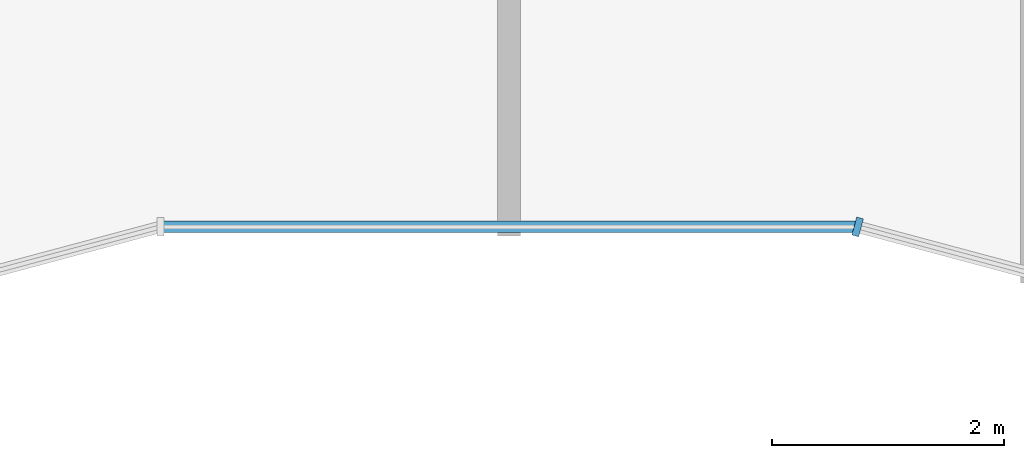
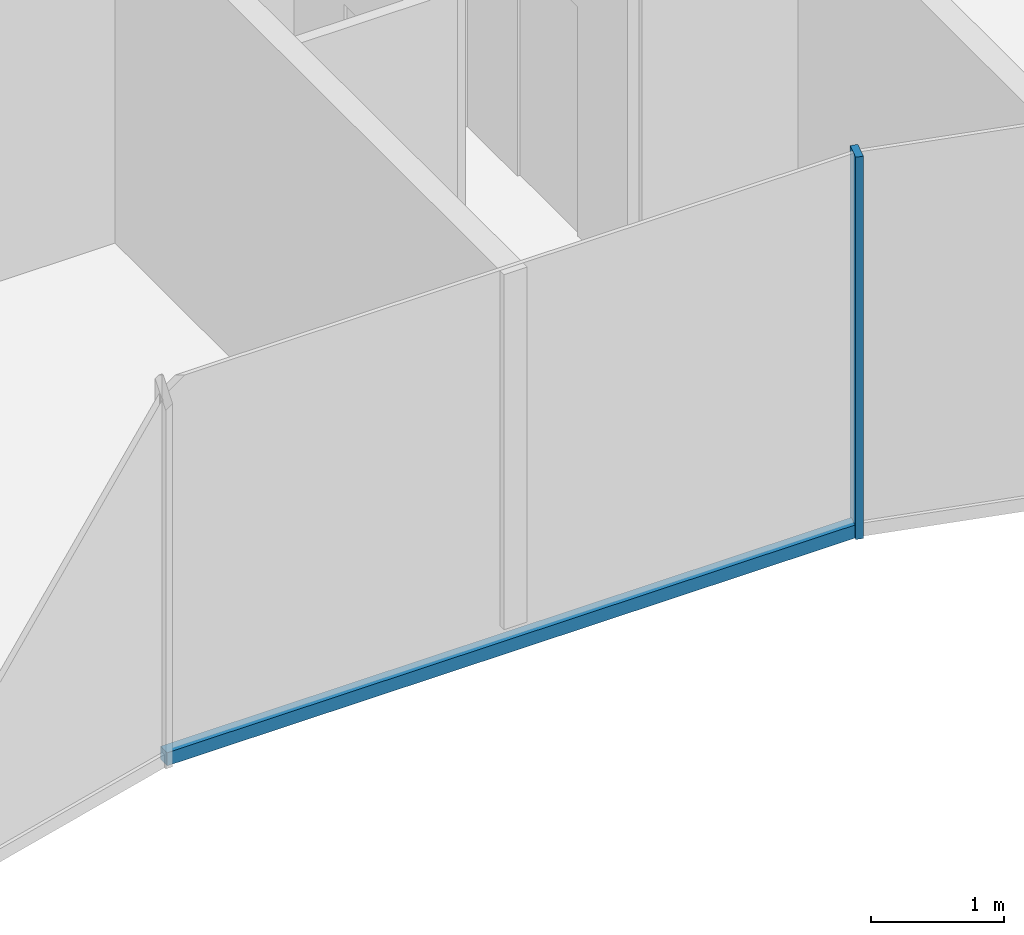
# One storey, part 3 of 17: 2 members, 2 elements without a shape of their own.
"""IFC4 building model written with IfcOpenShell, lengths in metres."""

import ifcopenshell
import ifcopenshell.guid

model = None  # the IFC model being written
_history = None  # IfcOwnerHistory: only IFC2X3 demands one
_inside = {}  # id of a spatial element -> (the spatial element, [elements in it])
_under = {}  # id of a project, library or spatial element -> (it, [spatial elements below it])
_declared = {}  # id of a project -> (the project, [libraries it declares])
_typed = {}  # id of a type object -> (the type object, [elements of that type])
_made_of = {}  # id of a material, layer set ... -> (it, [elements and type objects made of it])


def new_model(schema):
    """Start an empty IFC model of exactly this schema.

    Asked for "IFC4X3", IfcOpenShell would pick the latest addendum, in which some entities
    have other attributes; the version numbers below select the first issue.
    IFC2X3 requires an IfcOwnerHistory on every rooted entity: one is made here for all.
    """
    global model, _history
    if schema == "IFC4X3":
        model = ifcopenshell.file(schema_version=(4, 3, 0, 0))
    else:
        model = ifcopenshell.file(schema=schema)
    _inside.clear()
    _under.clear()
    _declared.clear()
    _typed.clear()
    _made_of.clear()
    _history = None
    if model.schema == "IFC2X3":
        org = make("IfcOrganization", Name="unknown")
        user = make(
            "IfcPersonAndOrganization",
            ThePerson=make("IfcPerson", FamilyName="unknown"),
            TheOrganization=org,
        )
        app = make(
            "IfcApplication",
            ApplicationDeveloper=org,
            Version="unknown",
            ApplicationFullName="unknown",
            ApplicationIdentifier="unknown",
        )
        _history = make(
            "IfcOwnerHistory",
            OwningUser=user,
            OwningApplication=app,
            ChangeAction="ADDED",
            CreationDate=0,
        )
    return model


def make(cls, **values):
    """One entity of the class cls with the attributes given. An attribute that is None is left unset."""
    return model.create_entity(
        cls, **{name: value for name, value in values.items() if value is not None}
    )


def rooted(cls, **values):
    """An entity with a GlobalId (a new one), such as an element, a storey or a relation."""
    return make(cls, GlobalId=ifcopenshell.guid.new(), OwnerHistory=_history, **values)


def si_unit(unit_type, name, prefix=None):
    """IfcSIUnit, for example si_unit("LENGTHUNIT", "METRE", prefix="MILLI")."""
    return make("IfcSIUnit", UnitType=unit_type, Prefix=prefix, Name=name)


def assignment(units):
    """IfcUnitAssignment: the units of a project."""
    return None if units is None else make("IfcUnitAssignment", Units=units)


def point(xyz):
    """IfcCartesianPoint."""
    return None if xyz is None else make("IfcCartesianPoint", Coordinates=xyz)


def direction(xyz):
    """IfcDirection."""
    return None if xyz is None else make("IfcDirection", DirectionRatios=xyz)


def frame(location, z_axis=None, x_axis=None):
    """IfcAxis2Placement3D, a coordinate frame: its origin and axes. An axis left out is left unset."""
    return make(
        "IfcAxis2Placement3D",
        Location=point(location),
        Axis=direction(z_axis),
        RefDirection=direction(x_axis),
    )


def frame_2d(location, x_axis=None):
    """IfcAxis2Placement2D, a coordinate frame in the plane: its origin and x axis."""
    return make(
        "IfcAxis2Placement2D", Location=point(location), RefDirection=direction(x_axis)
    )


def origin():
    """The frame at (0, 0, 0) with its axes left unset."""
    return frame((0.0, 0.0, 0.0))


def origin_2d():
    """The frame at (0, 0) in the plane with its x axis left unset."""
    return frame_2d((0.0, 0.0))


def place(relative_to, where):
    """IfcLocalPlacement: puts the frame where relative to a parent placement (None: the world)."""
    return make(
        "IfcLocalPlacement", PlacementRelTo=relative_to, RelativePlacement=where
    )


def context(
    kind, dimensions, precision=None, world=None, true_north=None, identifier=None
):
    """IfcGeometricRepresentationContext, for example the 3D "Model" context."""
    return make(
        "IfcGeometricRepresentationContext",
        ContextIdentifier=identifier,
        ContextType=kind,
        CoordinateSpaceDimension=dimensions,
        Precision=precision,
        WorldCoordinateSystem=world,
        TrueNorth=true_north,
    )


def subcontext(parent, identifier, kind, view, scale=None):
    """IfcGeometricRepresentationSubContext, for example "Body" below "Model"."""
    return make(
        "IfcGeometricRepresentationSubContext",
        ContextIdentifier=identifier,
        ContextType=kind,
        ParentContext=parent,
        TargetScale=scale,
        TargetView=view,
    )


def project(units=None, contexts=None):
    """IfcProject with its units and contexts."""
    return rooted(
        "IfcProject",
        Name="project",
        RepresentationContexts=contexts,
        UnitsInContext=assignment(units),
    )


def spatial(cls, under=None, at=None, **own):
    """A site, building, storey or space (cls), placed at a placement, below another one or the project."""
    s = rooted(cls, ObjectPlacement=at, **own)
    if under is not None:
        _under.setdefault(under.id(), (under, []))[1].append(s)
    return s


def profile(cls, at=None, kind="AREA", **sizes):
    """A parametric profile (cls). Its sizes go by their IFC names, for example OverallWidth=200.0."""
    return make(cls, ProfileType=kind, Position=at, **sizes)


def rectangle(**sizes):
    """IfcRectangleProfileDef."""
    return profile("IfcRectangleProfileDef", **sizes)


def extrude(swept, where, along, depth):
    """IfcExtrudedAreaSolid: the profile swept, set in the frame where, extruded along a direction by depth."""
    return make(
        "IfcExtrudedAreaSolid",
        SweptArea=swept,
        Position=where,
        ExtrudedDirection=direction(along),
        Depth=depth,
    )


def shape(context_of_items, identifier, shape_type, items):
    """IfcShapeRepresentation: the items that make up one representation, for example the "Body"."""
    return make(
        "IfcShapeRepresentation",
        ContextOfItems=context_of_items,
        RepresentationIdentifier=identifier,
        RepresentationType=shape_type,
        Items=items,
    )


def material(Name=None, Category=None):
    """IfcMaterial."""
    return make("IfcMaterial", Name=Name, Category=Category)


def layer(
    of_material, thickness, ventilated=None, Name=None, Category=None, Priority=None
):
    """IfcMaterialLayer: one layer of a wall or slab, of a material (None: an air gap)."""
    return make(
        "IfcMaterialLayer",
        Material=of_material,
        LayerThickness=thickness,
        IsVentilated=ventilated,
        Name=Name,
        Category=Category,
        Priority=Priority,
    )


def layer_set(layers, Name=None):
    """IfcMaterialLayerSet."""
    return make("IfcMaterialLayerSet", MaterialLayers=layers, LayerSetName=Name)


def material_profile(
    of_material, cross_section, Name=None, Category=None, Priority=None
):
    """IfcMaterialProfile: a cross section and its material."""
    return make(
        "IfcMaterialProfile",
        Name=Name,
        Material=of_material,
        Profile=cross_section,
        Priority=Priority,
        Category=Category,
    )


def profile_set(profiles, Name=None, composite=None):
    """IfcMaterialProfileSet."""
    return make(
        "IfcMaterialProfileSet",
        Name=Name,
        MaterialProfiles=profiles,
        CompositeProfile=composite,
    )


def made_of(thing, what):
    """Note that an element or type object is made of a material, layer set ...; save() writes the relation."""
    if what is not None:
        _made_of.setdefault(what.id(), (what, []))[1].append(thing)
    return thing


def type_object(cls, material=None, **own):
    """A type object (cls), such as IfcWallType, which elements share."""
    return made_of(rooted(cls, **own), material)


def element(
    cls,
    number,
    at=None,
    inside=None,
    cuts=None,
    type_object=None,
    material=None,
    context=None,
    identifier="Body",
    shape_type=None,
    held_by="IfcProductDefinitionShape",
    body=None,
    shapes=None,
    **own,
):
    """One element of the class cls, such as IfcWall. Its Tag is "e" and its number.

    at: its placement. inside: the storey or other place that contains it. cuts: it is an
    opening in that element (IfcRelVoidsElement). A single representation is given by context,
    identifier, shape_type and body (its items); several are given by shapes. held_by: the class
    of the entity that holds the representations. save() writes the other relations.
    """
    e = rooted(cls, Tag="e%d" % number, ObjectPlacement=at, **own)
    if body is not None:
        shapes = [shape(context, identifier, shape_type, body)]
    if shapes is not None:
        e.Representation = make(held_by, Representations=shapes)
    if inside is not None:
        _inside.setdefault(inside.id(), (inside, []))[1].append(e)
    if cuts is not None:
        rooted(
            "IfcRelVoidsElement", RelatingBuildingElement=cuts, RelatedOpeningElement=e
        )
    if type_object is not None:
        _typed.setdefault(type_object.id(), (type_object, []))[1].append(e)
    return made_of(e, material)


def aggregate(whole, parts):
    """IfcRelAggregates: a whole, such as a stair, and the parts it consists of."""
    return rooted("IfcRelAggregates", RelatingObject=whole, RelatedObjects=parts)


def save(model, path):
    """Write the relations noted so far, then the file.

    IfcRelAggregates (storeys below a building ...), IfcRelContainedInSpatialStructure (elements
    in a storey), IfcRelDefinesByType, IfcRelAssociatesMaterial and IfcRelDeclares: one each for
    every whole, place, type object, material and project.
    """
    for whole, parts in _under.values():
        aggregate(whole, parts)
    for where, things in _inside.values():
        rooted(
            "IfcRelContainedInSpatialStructure",
            RelatedElements=things,
            RelatingStructure=where,
        )
    for kind, things in _typed.values():
        rooted("IfcRelDefinesByType", RelatedObjects=things, RelatingType=kind)
    for what, things in _made_of.values():
        rooted("IfcRelAssociatesMaterial", RelatedObjects=things, RelatingMaterial=what)
    for by, libraries in _declared.values():
        rooted("IfcRelDeclares", RelatingContext=by, RelatedDefinitions=libraries)
    model.write(path)


model = new_model("IFC4")

# Units and contexts
model_context = context("Model", 3, precision=1e-05, world=origin(), true_north=direction((0.0, 1.0)))
body_context = subcontext(model_context, "Body", "Model", "MODEL_VIEW")
ifc_project = project(units=[si_unit("LENGTHUNIT", "METRE"), si_unit("AREAUNIT", "SQUARE_METRE"), si_unit("VOLUMEUNIT", "CUBIC_METRE"), si_unit("PLANEANGLEUNIT", "RADIAN"), si_unit("MASSUNIT", "GRAM", prefix="KILO")], contexts=[model_context])

# Site, building, storey
site_placement = place(None, origin())
site = spatial("IfcSite", under=ifc_project, at=site_placement, CompositionType="ELEMENT")
building_placement = place(site_placement, origin())
building = spatial("IfcBuilding", under=site, at=building_placement, Name="Plateau Cross Towers", CompositionType="ELEMENT")
storey_placement = place(building_placement, frame((0.0, 0.0, 222.39990234375)))
storey = spatial("IfcBuildingStorey", under=building, at=storey_placement, Name="L58", CompositionType="ELEMENT", Elevation=222.39990234375)

# Curtain wall, member
ifc_material_1 = material(Name="Dark low-iron glass", Category="glass")
ifc_layer = layer(ifc_material_1, 0.260009765625)
ifc_layer_set = layer_set([ifc_layer], Name="Dark low-iron glass")
curtain_wall_type = type_object("IfcCurtainWallType", Name="Curtain wall fluted unitised CW-A", PredefinedType="NOTDEFINED", material=ifc_layer_set)
curtain_wall_1_placement = place(storey_placement, origin())
curtain_wall_1 = element("IfcCurtainWall", 1, at=curtain_wall_1_placement, inside=storey, type_object=curtain_wall_type, Name="ENV/A/L58/A300_16", PredefinedType="NOTDEFINED")
ifc_material_2 = material(Name="Black anodised aluminium", Category="aluminium")
ifc_material_profile_1 = material_profile(ifc_material_2, rectangle(XDim=0.06005859375, YDim=0.159912109375, at=origin_2d()), Name="MULLION 60x160")
ifc_profile_set_1 = profile_set([ifc_material_profile_1], Name="Black anodised aluminium")
member_type_1 = type_object("IfcMemberType", Name="Mullion 60x160 fluted unitised", PredefinedType="MULLION", material=ifc_profile_set_1)
member_1_placement = place(storey_placement, frame((30.0, 1.60693359375, -0.25), z_axis=(0.0, 0.0, 1.0), x_axis=(0.965957983404, -0.258699003279, 0.0)))
member_1 = element("IfcMember", 2, at=member_1_placement, type_object=member_type_1, Name="CW-A mullion 1", PredefinedType="MULLION", context=body_context, shape_type="SweptSolid", body=[
    extrude(rectangle(XDim=0.06005859375, YDim=0.159912109375, at=origin_2d()), origin(), (0.0, 0.0, 1.0), 3.5),
])
aggregate(curtain_wall_1, [member_1])

curtain_wall_2_placement = place(storey_placement, origin())
curtain_wall_2 = element("IfcCurtainWall", 3, at=curtain_wall_2_placement, inside=storey, type_object=curtain_wall_type, Name="ENV/A/L58/A240_16", PredefinedType="NOTDEFINED")
ifc_material_profile_2 = material_profile(ifc_material_2, rectangle(XDim=0.10009765625, YDim=0.1201171875, at=origin_2d()), Name="TRANSOM 100x120")
ifc_profile_set_2 = profile_set([ifc_material_profile_2], Name="Black anodised aluminium")
member_type_2 = type_object("IfcMemberType", Name="Transom 100x120 fluted unitised", PredefinedType="USERDEFINED", material=ifc_profile_set_2)
member_2_placement = place(storey_placement, frame((24.0, 1.60693359375, -0.18994140625), z_axis=(1.0, 0.0, 0.0), x_axis=(0.0, 1.0, 0.0)))
member_2 = element("IfcMember", 4, at=member_2_placement, type_object=member_type_2, Name="CW-A transom", ObjectType="TRANSOM", PredefinedType="USERDEFINED", context=body_context, shape_type="SweptSolid", body=[
    extrude(rectangle(XDim=0.10009765625, YDim=0.1201171875, at=origin_2d()), origin(), (0.0, 0.0, 1.0), 6.0),
])
aggregate(curtain_wall_2, [member_2])

save(model, "model.ifc")
